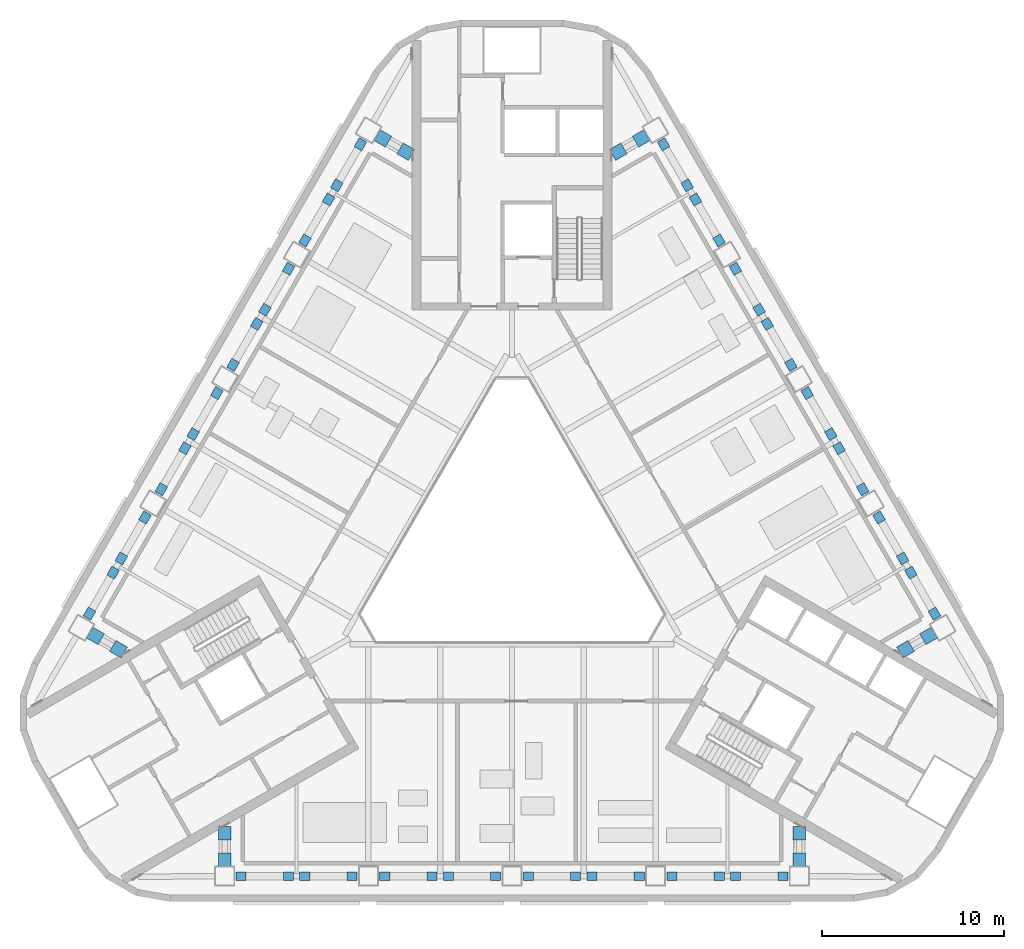
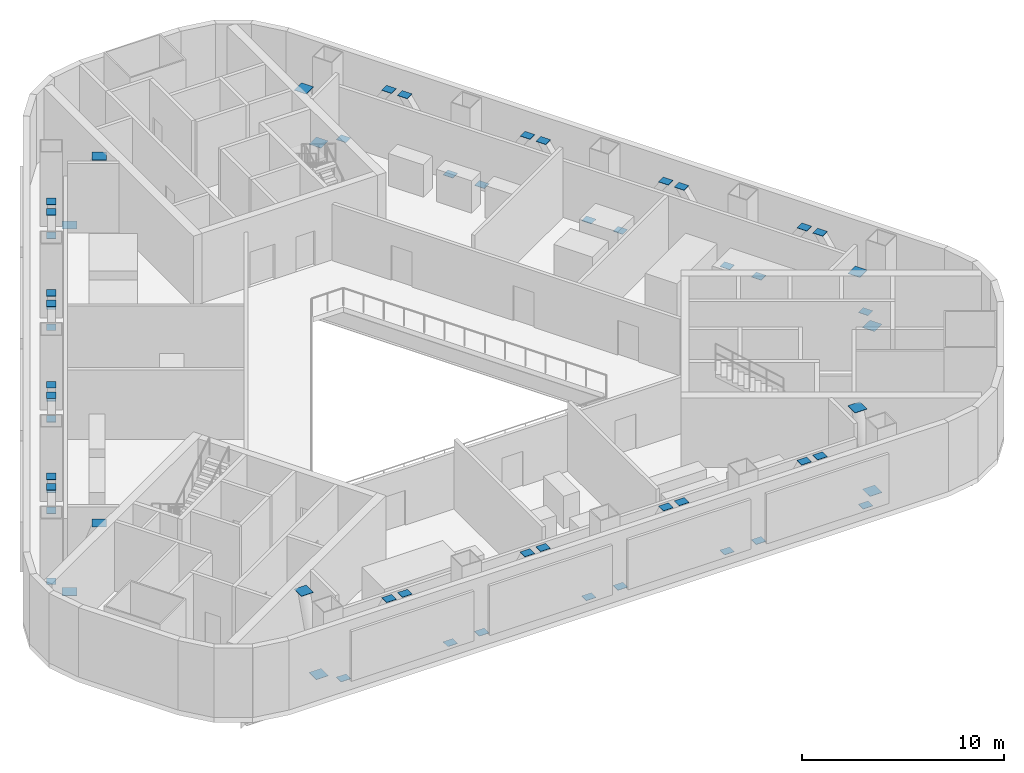
# One storey, part 10 of 15: 60 discrete accessories.
"""IFC4 building model written with IfcOpenShell, lengths in metres."""

from ifc_helpers import new_model, si_unit, direction, frame, origin, origin_2d, place, context, subcontext, project, spatial, rectangle, extrude, material, layer, layer_set, type_object, element, save


model = new_model("IFC4")

# Units and contexts
model_context = context("Model", 3, precision=1e-05, world=origin(), true_north=direction((0.0, 1.0)))
body_context = subcontext(model_context, "Body", "Model", "MODEL_VIEW")
ifc_project = project(units=[si_unit("LENGTHUNIT", "METRE"), si_unit("AREAUNIT", "SQUARE_METRE"), si_unit("VOLUMEUNIT", "CUBIC_METRE"), si_unit("PLANEANGLEUNIT", "RADIAN"), si_unit("MASSUNIT", "GRAM", prefix="KILO")], contexts=[model_context])

# Site, building, storey
site_placement = place(None, origin())
site = spatial("IfcSite", under=ifc_project, at=site_placement, CompositionType="ELEMENT")
building_placement = place(site_placement, origin())
building = spatial("IfcBuilding", under=site, at=building_placement, Name="Apuvela Tower Hotel", CompositionType="ELEMENT")
storey_placement = place(building_placement, frame((0.0, 0.0, 37.5)))
storey = spatial("IfcBuildingStorey", under=building, at=storey_placement, Name="L06 Plant", CompositionType="ELEMENT", Elevation=37.5)

# Discrete accessories
ifc_material = material(Name="Steel S355", Category="steel")
ifc_layer = layer(ifc_material, 0.02001953125)
ifc_layer_set = layer_set([ifc_layer], Name="STR-EP end plate 20")
discrete_accessory_type = type_object("IfcDiscreteAccessoryType", Name="STR-EP end plate 20", PredefinedType="BRACKET", material=ifc_layer_set)
for number, where, z_axis, x_axis, name in (
    (1, (-14.89990234375, -18.22998046875, -0.300048828125), (0.0, 0.0, 1.0), (1.0, 0.0, 0.0), "End plate EP BR1 S1"),
    (2, (-12.300048828125, -18.22998046875, 3.580078125), (0.0, 0.0, 1.0), (1.0, 0.0, 0.0), "End plate EP BR1 S1"),
    (3, (-8.800048828125, -18.22998046875, -0.300048828125), (0.0, 0.0, 1.0), (-1.0, 0.0, 0.0), "End plate EP BR1 S1"),
    (4, (-11.39990234375, -18.22998046875, 3.580078125), (0.0, 0.0, 1.0), (-1.0, 0.0, 0.0), "End plate EP BR1 S1"),
    (5, (-7.0, -18.22998046875, -0.300048828125), (0.0, 0.0, 1.0), (1.0, 0.0, 0.0), "End plate EP BR1 S2"),
    (6, (-4.39990234375, -18.22998046875, 3.580078125), (0.0, 0.0, 1.0), (1.0, 0.0, 0.0), "End plate EP BR1 S2"),
    (7, (-0.89990234375, -18.22998046875, -0.300048828125), (0.0, 0.0, 1.0), (-1.0, 0.0, 0.0), "End plate EP BR1 S2"),
    (8, (-3.5, -18.22998046875, 3.580078125), (0.0, 0.0, 1.0), (-1.0, 0.0, 0.0), "End plate EP BR1 S2"),
    (9, (0.89990234375, -18.22998046875, -0.300048828125), (0.0, 0.0, 1.0), (1.0, 0.0, 0.0), "End plate EP BR1 S3"),
    (10, (3.5, -18.22998046875, 3.580078125), (0.0, 0.0, 1.0), (1.0, 0.0, 0.0), "End plate EP BR1 S3"),
    (11, (7.0, -18.22998046875, -0.300048828125), (0.0, 0.0, 1.0), (-1.0, 0.0, 0.0), "End plate EP BR1 S3"),
    (12, (4.39990234375, -18.22998046875, 3.580078125), (0.0, 0.0, 1.0), (-1.0, 0.0, 0.0), "End plate EP BR1 S3"),
    (13, (8.800048828125, -18.22998046875, -0.300048828125), (0.0, 0.0, 1.0), (1.0, 0.0, 0.0), "End plate EP BR1 S4"),
    (14, (11.39990234375, -18.22998046875, 3.580078125), (0.0, 0.0, 1.0), (1.0, 0.0, 0.0), "End plate EP BR1 S4"),
    (15, (14.89990234375, -18.22998046875, -0.300048828125), (0.0, 0.0, 1.0), (-1.0, 0.0, 0.0), "End plate EP BR1 S4"),
    (16, (12.300048828125, -18.22998046875, 3.580078125), (0.0, 0.0, 1.0), (-1.0, 0.0, 0.0), "End plate EP BR1 S4"),
    (17, (23.237548828125, -3.788818359375, -0.300048828125), (0.0, 0.0, 1.0), (-0.5, 0.866025403784, 0.0), "End plate EP BR1 NE1"),
    (18, (21.9375, -1.537109375, 3.580078125), (0.0, 0.0, 1.0), (-0.5, 0.866025403784, 0.0), "End plate EP BR1 NE1"),
    (19, (20.1875, 1.493896484375, -0.300048828125), (0.0, 0.0, 1.0), (0.5, -0.866025403784, 0.0), "End plate EP BR1 NE1"),
    (20, (21.487548828125, -0.7578125, 3.580078125), (0.0, 0.0, 1.0), (0.5, -0.866025403784, 0.0), "End plate EP BR1 NE1"),
    (21, (19.28759765625, 3.052734375, -0.300048828125), (0.0, 0.0, 1.0), (-0.5, 0.866025403784, 0.0), "End plate EP BR1 NE2"),
    (22, (17.987548828125, 5.304443359375, 3.580078125), (0.0, 0.0, 1.0), (-0.5, 0.866025403784, 0.0), "End plate EP BR1 NE2"),
    (23, (16.237548828125, 8.335693359375, -0.300048828125), (0.0, 0.0, 1.0), (0.5, -0.866025403784, 0.0), "End plate EP BR1 NE2"),
    (24, (17.53759765625, 6.083984375, 3.580078125), (0.0, 0.0, 1.0), (0.5, -0.866025403784, 0.0), "End plate EP BR1 NE2"),
    (25, (15.337646484375, 9.894287109375, -0.300048828125), (0.0, 0.0, 1.0), (-0.5, 0.866025403784, 0.0), "End plate EP BR1 NE3"),
    (26, (14.03759765625, 12.14599609375, 3.580078125), (0.0, 0.0, 1.0), (-0.5, 0.866025403784, 0.0), "End plate EP BR1 NE3"),
    (27, (12.28759765625, 15.17724609375, -0.300048828125), (0.0, 0.0, 1.0), (0.5, -0.866025403784, 0.0), "End plate EP BR1 NE3"),
    (28, (13.587646484375, 12.925537109375, 3.580078125), (0.0, 0.0, 1.0), (0.5, -0.866025403784, 0.0), "End plate EP BR1 NE3"),
    (29, (11.3876953125, 16.736083984375, -0.300048828125), (0.0, 0.0, 1.0), (-0.5, 0.866025403784, 0.0), "End plate EP BR1 NE4"),
    (30, (10.087646484375, 18.98779296875, 3.580078125), (0.0, 0.0, 1.0), (-0.5, 0.866025403784, 0.0), "End plate EP BR1 NE4"),
    (31, (8.337646484375, 22.018798828125, -0.300048828125), (0.0, 0.0, 1.0), (0.5, -0.866025403784, 0.0), "End plate EP BR1 NE4"),
    (32, (9.6376953125, 19.76708984375, 3.580078125), (0.0, 0.0, 1.0), (0.5, -0.866025403784, 0.0), "End plate EP BR1 NE4"),
    (33, (-8.337646484375, 22.018798828125, -0.300048828125), (0.0, 0.0, 1.0), (-0.5, -0.866025403784, 0.0), "End plate EP BR1 NW1"),
    (34, (-9.6376953125, 19.76708984375, 3.580078125), (0.0, 0.0, 1.0), (-0.5, -0.866025403784, 0.0), "End plate EP BR1 NW1"),
    (35, (-11.3876953125, 16.736083984375, -0.300048828125), (0.0, 0.0, 1.0), (0.5, 0.866025403784, 0.0), "End plate EP BR1 NW1"),
    (36, (-10.087646484375, 18.98779296875, 3.580078125), (0.0, 0.0, 1.0), (0.5, 0.866025403784, 0.0), "End plate EP BR1 NW1"),
    (37, (-12.28759765625, 15.17724609375, -0.300048828125), (0.0, 0.0, 1.0), (-0.5, -0.866025403784, 0.0), "End plate EP BR1 NW2"),
    (38, (-13.587646484375, 12.925537109375, 3.580078125), (0.0, 0.0, 1.0), (-0.5, -0.866025403784, 0.0), "End plate EP BR1 NW2"),
    (39, (-15.337646484375, 9.894287109375, -0.300048828125), (0.0, 0.0, 1.0), (0.5, 0.866025403784, 0.0), "End plate EP BR1 NW2"),
    (40, (-14.03759765625, 12.14599609375, 3.580078125), (0.0, 0.0, 1.0), (0.5, 0.866025403784, 0.0), "End plate EP BR1 NW2"),
    (41, (-16.237548828125, 8.335693359375, -0.300048828125), (0.0, 0.0, 1.0), (-0.5, -0.866025403784, 0.0), "End plate EP BR1 NW3"),
    (42, (-17.53759765625, 6.083984375, 3.580078125), (0.0, 0.0, 1.0), (-0.5, -0.866025403784, 0.0), "End plate EP BR1 NW3"),
    (43, (-19.28759765625, 3.052734375, -0.300048828125), (0.0, 0.0, 1.0), (0.5, 0.866025403784, 0.0), "End plate EP BR1 NW3"),
    (44, (-17.987548828125, 5.304443359375, 3.580078125), (0.0, 0.0, 1.0), (0.5, 0.866025403784, 0.0), "End plate EP BR1 NW3"),
    (45, (-20.1875, 1.493896484375, -0.300048828125), (0.0, 0.0, 1.0), (-0.5, -0.866025403784, 0.0), "End plate EP BR1 NW4"),
    (46, (-21.487548828125, -0.7578125, 3.580078125), (0.0, 0.0, 1.0), (-0.5, -0.866025403784, 0.0), "End plate EP BR1 NW4"),
    (47, (-23.237548828125, -3.788818359375, -0.300048828125), (0.0, 0.0, 1.0), (0.5, 0.866025403784, 0.0), "End plate EP BR1 NW4"),
    (48, (-21.9375, -1.537109375, 3.580078125), (0.0, 0.0, 1.0), (0.5, 0.866025403784, 0.0), "End plate EP BR1 NW4"),
):
    element("IfcDiscreteAccessory", number, at=place(storey_placement, frame(where, z_axis=z_axis, x_axis=x_axis)), inside=storey, type_object=discrete_accessory_type, Name=name, PredefinedType="BRACKET", context=body_context, shape_type="SweptSolid", body=[
        extrude(rectangle(XDim=0.560791015625, YDim=0.47998046875, at=origin_2d()), origin(), (0.0, 0.0, 1.0), 0.02001953125),
    ])
for number, where, z_axis, x_axis, name in (
    (49, (22.908203125, -5.018310546875, -0.300048828125), (0.0, 0.0, 1.0), (-0.866025403784, -0.5, 0.0), "End plate EP OD1 NE1"),
    (50, (21.64306640625, -5.74853515625, 3.85009765625), (0.0, 0.0, 1.0), (-0.866025403784, -0.5, 0.0), "End plate EP OD1 NE1"),
    (51, (7.108154296875, 22.34814453125, -0.300048828125), (0.0, 0.0, 1.0), (-0.866025403784, -0.5, 0.0), "End plate EP OD1 NE5"),
    (52, (5.843017578125, 21.617919921875, 3.85009765625), (0.0, 0.0, 1.0), (-0.866025403784, -0.5, 0.0), "End plate EP OD1 NE5"),
    (53, (-7.108154296875, 22.34814453125, -0.300048828125), (0.0, 0.0, 1.0), (0.866025403784, -0.5, 0.0), "End plate EP OD1 NW1"),
    (54, (-5.843017578125, 21.617919921875, 3.85009765625), (0.0, 0.0, 1.0), (0.866025403784, -0.5, 0.0), "End plate EP OD1 NW1"),
    (55, (-22.908203125, -5.018310546875, -0.300048828125), (0.0, 0.0, 1.0), (0.866025403784, -0.5, 0.0), "End plate EP OD1 NW5"),
    (56, (-21.64306640625, -5.74853515625, 3.85009765625), (0.0, 0.0, 1.0), (0.866025403784, -0.5, 0.0), "End plate EP OD1 NW5"),
    (57, (-15.800048828125, -17.330078125, -0.300048828125), (0.0, 0.0, 1.0), (0.0, 1.0, 0.0), "End plate EP OD1 S1"),
    (58, (-15.800048828125, -15.869140625, 3.85009765625), (0.0, 0.0, 1.0), (0.0, 1.0, 0.0), "End plate EP OD1 S1"),
    (59, (15.800048828125, -17.330078125, -0.300048828125), (0.0, 0.0, 1.0), (0.0, 1.0, 0.0), "End plate EP OD1 S5"),
    (60, (15.800048828125, -15.869140625, 3.85009765625), (0.0, 0.0, 1.0), (0.0, 1.0, 0.0), "End plate EP OD1 S5"),
):
    element("IfcDiscreteAccessory", number, at=place(storey_placement, frame(where, z_axis=z_axis, x_axis=x_axis)), inside=storey, type_object=discrete_accessory_type, Name=name, PredefinedType="BRACKET", context=body_context, shape_type="SweptSolid", body=[
        extrude(rectangle(XDim=0.726318359375, YDim=0.68994140625, at=origin_2d()), origin(), (0.0, 0.0, 1.0), 0.02001953125),
    ])

save(model, "model.ifc")
